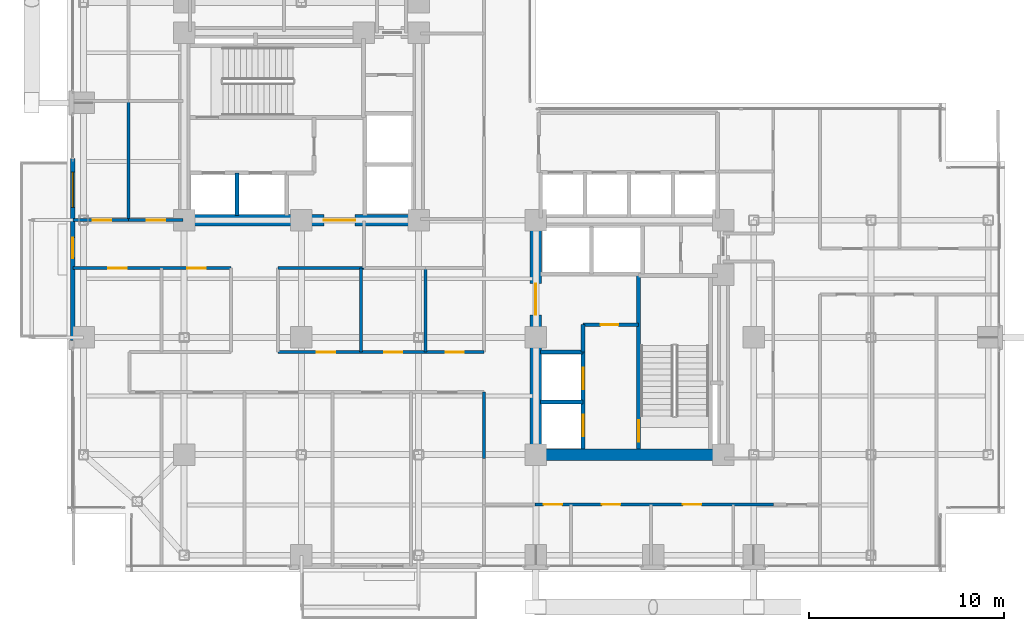
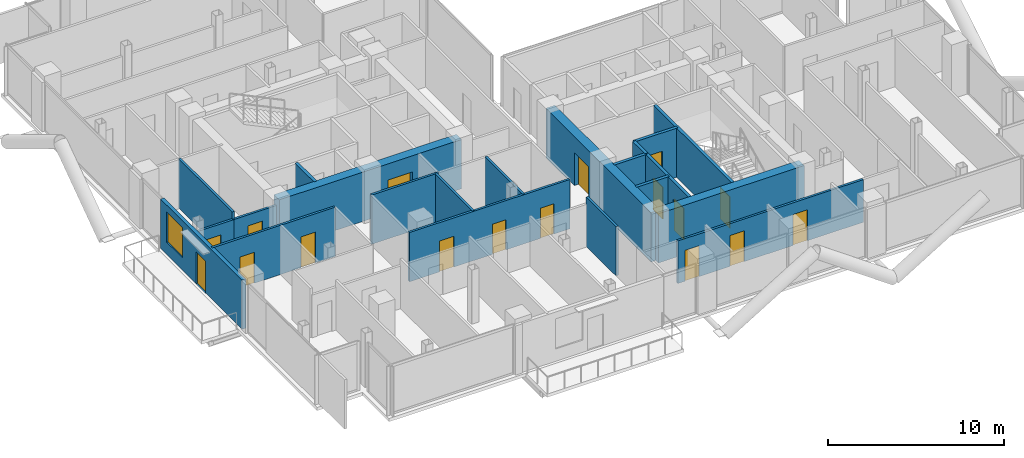
# One storey, part 19 of 24: 21 walls, 17 doors, 1 window, 18 openings.
"""IFC4 building model written with IfcOpenShell, lengths in metres."""

from ifc_helpers import new_model, si_unit, direction, frame, frame_2d, origin, place, context, subcontext, project, spatial, rectangle, extrude, material, layer, layer_set, type_object, element, fill, save


model = new_model("IFC4")

# Units and contexts
model_context = context("Model", 3, precision=1e-05, world=origin(), true_north=direction((0.0, 1.0)))
body_context = subcontext(model_context, "Body", "Model", "MODEL_VIEW")
ifc_project = project(units=[si_unit("LENGTHUNIT", "METRE"), si_unit("AREAUNIT", "SQUARE_METRE"), si_unit("VOLUMEUNIT", "CUBIC_METRE"), si_unit("PLANEANGLEUNIT", "RADIAN"), si_unit("MASSUNIT", "GRAM", prefix="KILO"), si_unit("THERMODYNAMICTEMPERATUREUNIT", "KELVIN"), si_unit("POWERUNIT", "WATT")], contexts=[model_context])

# Site, building, storey
site_placement = place(None, origin())
site = spatial("IfcSite", under=ifc_project, at=site_placement, CompositionType="ELEMENT")
building_placement = place(site_placement, origin())
building = spatial("IfcBuilding", under=site, at=building_placement, Name="Svarakhadi Broadcast Tower", CompositionType="ELEMENT")
storey_placement = place(building_placement, frame((0.0, 0.0, 160.64990234375)))
storey = spatial("IfcBuildingStorey", under=building, at=storey_placement, Name="L39", CompositionType="ELEMENT", Elevation=160.64990234375)

# Wall, openings, door, window
ifc_material_1 = material(Name="Concrete C40/50 (IS 456 M50)", Category="concrete")
ifc_layer_1 = layer(ifc_material_1, 0.239990234375)
ifc_layer_set_1 = layer_set([ifc_layer_1], Name="Concrete C40/50 (IS 456 M50)")
wall_type_1 = type_object("IfcWallType", Name="Wall_Ext_240", PredefinedType="SOLIDWALL", material=ifc_layer_set_1)
wall_1_placement = place(storey_placement, frame((0.300048828125, 11.85498046875, 0.0), z_axis=(0.0, 0.0, 1.0), x_axis=(0.0, 1.0, 0.0)))
wall_1 = element("IfcWall", 1, at=wall_1_placement, inside=storey, type_object=wall_type_1, Name="L39 West Tree Balcony Spandrel Wall", PredefinedType="SOLIDWALL", context=body_context, shape_type="SweptSolid", body=[
    extrude(rectangle(XDim=9.2900390625, YDim=0.239990234375, at=frame_2d((4.64501953125, 0.0))), origin(), (0.0, 0.0, 1.0), 3.425048828125),
])
opening_1_placement = place(wall_1_placement, frame((4.199951171875, 0.0, 0.0)))
opening_1 = element("IfcOpeningElement", 2, at=opening_1_placement, cuts=wall_1, Name="Opening ED-06", PredefinedType="OPENING", context=body_context, shape_type="SweptSolid", body=[
    extrude(rectangle(XDim=1.050048828125, YDim=2.199951171875, at=frame_2d((0.52490234375, 1.10009765625))), frame((0.0, 0.1298828125, 0.0), z_axis=(0.0, -1.0, 0.0), x_axis=(1.0, 0.0, 0.0)), (0.0, 0.0, 1.0), 0.260009765625),
])
opening_2_placement = place(wall_1_placement, frame((6.800048828125, 0.0, 0.85009765625)))
opening_2 = element("IfcOpeningElement", 3, at=opening_2_placement, cuts=wall_1, Name="Opening WN-02", PredefinedType="OPENING", context=body_context, shape_type="SweptSolid", body=[
    extrude(rectangle(XDim=1.800048828125, YDim=2.10009765625, at=frame_2d((0.89990234375, 1.050048828125))), frame((0.0, 0.1298828125, 0.0), z_axis=(0.0, -1.0, 0.0), x_axis=(1.0, 0.0, 0.0)), (0.0, 0.0, 1.0), 0.260009765625),
])
ifc_material_2 = material(Name="Anodised Bronze Aluminium AA 6063-T6", Category="aluminium")
door_type_1 = type_object("IfcDoorType", Name="Door_Ext_ED06", OperationType="SINGLE_SWING_RIGHT", PredefinedType="DOOR", material=ifc_material_2)
door_1_placement = place(opening_1_placement, origin())
door_1 = element("IfcDoor", 4, at=door_1_placement, inside=storey, type_object=door_type_1, Name="L39 West Tree Balcony Door", OperationType="SINGLE_SWING_RIGHT", OverallHeight=2.199951171875, OverallWidth=1.050048828125, PredefinedType="DOOR", context=body_context, shape_type="SweptSolid", body=[
    extrude(rectangle(XDim=1.050048828125, YDim=2.199951171875, at=frame_2d((0.52490234375, 1.10009765625))), frame((0.0, 0.02490234375, 0.0), z_axis=(0.0, -1.0, 0.0), x_axis=(1.0, 0.0, 0.0)), (0.0, 0.0, 1.0), 0.050048828125),
])
fill(opening_1, door_1)
ifc_material_3 = material(Name="Double Low-E Laminated Acoustic Glass IGU 36 mm", Category="glass")
window_type = type_object("IfcWindowType", Name="Win_Fixed_WN02", PartitioningType="SINGLE_PANEL", PredefinedType="WINDOW", material=ifc_material_3)
window_placement = place(opening_2_placement, origin())
window = element("IfcWindow", 5, at=window_placement, inside=storey, type_object=window_type, Name="L39 West Tree Balcony Window", OverallHeight=2.10009765625, OverallWidth=1.800048828125, PartitioningType="SINGLE_PANEL", PredefinedType="WINDOW", context=body_context, shape_type="SweptSolid", body=[
    extrude(rectangle(XDim=1.800048828125, YDim=2.10009765625, at=frame_2d((0.89990234375, 1.050048828125))), frame((0.0, 0.030029296875, 0.0), z_axis=(0.0, -1.0, 0.0), x_axis=(1.0, 0.0, 0.0)), (0.0, 0.0, 1.0), 0.06005859375),
])
fill(opening_2, window)

# Wall, openings, doors
ifc_material_4 = material(Name="Autoclaved Aerated Concrete Blockwork 150 mm", Category="masonry")
ifc_layer_2 = layer(ifc_material_4, 0.14990234375)
ifc_layer_set_2 = layer_set([ifc_layer_2], Name="Autoclaved Aerated Concrete Blockwork 150 mm")
wall_type_2 = type_object("IfcWallType", Name="Wall_Part_150", PredefinedType="PARTITIONING", material=ifc_layer_set_2)
wall_2_placement = place(storey_placement, frame((36.14990234375, 3.449951171875, 0.0), z_axis=(0.0, 0.0, 1.0), x_axis=(-1.0, 0.0, 0.0)))
wall_2 = element("IfcWall", 6, at=wall_2_placement, inside=storey, type_object=wall_type_2, Name="L39 Zone 2/3 Corridor Wall", PredefinedType="PARTITIONING", context=body_context, shape_type="SweptSolid", body=[
    extrude(rectangle(XDim=12.199951171875, YDim=0.14990234375, at=frame_2d((6.10009765625, 0.0))), origin(), (0.0, 0.0, 1.0), 2.967041015625),
])
opening_3_placement = place(wall_2_placement, frame((10.800048828125, 0.0, 0.0)))
opening_3 = element("IfcOpeningElement", 7, at=opening_3_placement, cuts=wall_2, Name="Opening D-06", PredefinedType="OPENING", context=body_context, shape_type="SweptSolid", body=[
    extrude(rectangle(XDim=0.949951171875, YDim=2.14990234375, at=frame_2d((0.47509765625, 1.074951171875))), frame((0.0, 0.0849609375, 0.0), z_axis=(0.0, -1.0, 0.0), x_axis=(1.0, 0.0, 0.0)), (0.0, 0.0, 1.0), 0.169921875),
])
opening_4_placement = place(wall_2_placement, frame((7.824951171875, 0.0, 0.0)))
opening_4 = element("IfcOpeningElement", 8, at=opening_4_placement, cuts=wall_2, Name="Opening D-07", PredefinedType="OPENING", context=body_context, shape_type="SweptSolid", body=[
    extrude(rectangle(XDim=0.949951171875, YDim=2.14990234375, at=frame_2d((0.47509765625, 1.074951171875))), frame((0.0, 0.0849609375, 0.0), z_axis=(0.0, -1.0, 0.0), x_axis=(1.0, 0.0, 0.0)), (0.0, 0.0, 1.0), 0.169921875),
])
opening_5_placement = place(wall_2_placement, frame((3.675048828125, 0.0, 0.0)))
opening_5 = element("IfcOpeningElement", 9, at=opening_5_placement, cuts=wall_2, Name="Opening D-06", PredefinedType="OPENING", context=body_context, shape_type="SweptSolid", body=[
    extrude(rectangle(XDim=0.949951171875, YDim=2.14990234375, at=frame_2d((0.47509765625, 1.074951171875))), frame((0.0, 0.0849609375, 0.0), z_axis=(0.0, -1.0, 0.0), x_axis=(1.0, 0.0, 0.0)), (0.0, 0.0, 1.0), 0.169921875),
])
ifc_material_5 = material(Name="Solid-Core Teak Veneer Acoustic Timber Leaf", Category="wood")
door_type_2 = type_object("IfcDoorType", Name="Door_Office_D06", OperationType="SINGLE_SWING_LEFT", PredefinedType="DOOR", material=ifc_material_5)
door_2_placement = place(opening_3_placement, origin())
door_2 = element("IfcDoor", 10, at=door_2_placement, inside=storey, type_object=door_type_2, Name="L39 Harbour Front Production Office Door", OperationType="SINGLE_SWING_LEFT", OverallHeight=2.14990234375, OverallWidth=0.949951171875, PredefinedType="DOOR", context=body_context, shape_type="SweptSolid", body=[
    extrude(rectangle(XDim=0.949951171875, YDim=2.14990234375, at=frame_2d((0.47509765625, 1.074951171875))), frame((0.0, 0.02490234375, 0.0), z_axis=(0.0, -1.0, 0.0), x_axis=(1.0, 0.0, 0.0)), (0.0, 0.0, 1.0), 0.050048828125),
])
fill(opening_3, door_2)
door_3_placement = place(opening_5_placement, origin())
door_3 = element("IfcDoor", 11, at=door_3_placement, inside=storey, type_object=door_type_2, Name="L39 Artisanal Espresso Bar Door", OperationType="SINGLE_SWING_LEFT", OverallHeight=2.14990234375, OverallWidth=0.949951171875, PredefinedType="DOOR", context=body_context, shape_type="SweptSolid", body=[
    extrude(rectangle(XDim=0.949951171875, YDim=2.14990234375, at=frame_2d((0.47509765625, 1.074951171875))), frame((0.0, 0.02490234375, 0.0), z_axis=(0.0, -1.0, 0.0), x_axis=(1.0, 0.0, 0.0)), (0.0, 0.0, 1.0), 0.050048828125),
])
fill(opening_5, door_3)
door_type_3 = type_object("IfcDoorType", Name="Door_Office_D07", OperationType="SINGLE_SWING_RIGHT", PredefinedType="DOOR", material=ifc_material_5)
door_4_placement = place(opening_4_placement, origin())
door_4 = element("IfcDoor", 12, at=door_4_placement, inside=storey, type_object=door_type_3, Name="L39 Client Preview Briefing Room Door", OperationType="SINGLE_SWING_RIGHT", OverallHeight=2.14990234375, OverallWidth=0.949951171875, PredefinedType="DOOR", context=body_context, shape_type="SweptSolid", body=[
    extrude(rectangle(XDim=0.949951171875, YDim=2.14990234375, at=frame_2d((0.47509765625, 1.074951171875))), frame((0.0, 0.02490234375, 0.0), z_axis=(0.0, -1.0, 0.0), x_axis=(1.0, 0.0, 0.0)), (0.0, 0.0, 1.0), 0.050048828125),
])
fill(opening_4, door_4)

# Wall
wall_3_placement = place(storey_placement, frame((21.35009765625, 5.800048828125, 0.0), z_axis=(0.0, 0.0, 1.0), x_axis=(0.0, 1.0, 0.0)))
element("IfcWall", 13, at=wall_3_placement, inside=storey, type_object=wall_type_2, Name="L39 Zone 2/3 Corridor Wall", PredefinedType="PARTITIONING", context=body_context, shape_type="SweptSolid", body=[
    extrude(rectangle(XDim=3.39990234375, YDim=0.14990234375, at=frame_2d((1.699951171875, 0.0))), origin(), (0.0, 0.0, 1.0), 3.425048828125),
])

# Wall, openings, doors
wall_4_placement = place(storey_placement, frame((8.39990234375, 15.550048828125, 0.0), z_axis=(0.0, 0.0, 1.0), x_axis=(-1.0, 0.0, 0.0)))
wall_4 = element("IfcWall", 14, at=wall_4_placement, inside=storey, type_object=wall_type_2, Name="L39 Zone 2/3 Corridor Wall", PredefinedType="PARTITIONING", context=body_context, shape_type="SweptSolid", body=[
    extrude(rectangle(XDim=8.099853515625, YDim=0.14990234375, at=frame_2d((4.0498046875, 0.0))), origin(), (0.0, 0.0, 1.0), 3.425048828125),
])
opening_6_placement = place(wall_4_placement, frame((5.324951171875, 0.0, 0.0)))
opening_6 = element("IfcOpeningElement", 15, at=opening_6_placement, cuts=wall_4, Name="Opening D-06", PredefinedType="OPENING", context=body_context, shape_type="SweptSolid", body=[
    extrude(rectangle(XDim=0.949951171875, YDim=2.14990234375, at=frame_2d((0.47509765625, 1.074951171875))), frame((0.0, 0.0849609375, 0.0), z_axis=(0.0, -1.0, 0.0), x_axis=(1.0, 0.0, 0.0)), (0.0, 0.0, 1.0), 0.169921875),
])
opening_7_placement = place(wall_4_placement, frame((1.300048828125, 0.0, 0.0)))
opening_7 = element("IfcOpeningElement", 16, at=opening_7_placement, cuts=wall_4, Name="Opening D-07", PredefinedType="OPENING", context=body_context, shape_type="SweptSolid", body=[
    extrude(rectangle(XDim=0.949951171875, YDim=2.14990234375, at=frame_2d((0.47509765625, 1.074951171875))), frame((0.0, 0.0849609375, 0.0), z_axis=(0.0, -1.0, 0.0), x_axis=(1.0, 0.0, 0.0)), (0.0, 0.0, 1.0), 0.169921875),
])
door_5_placement = place(opening_6_placement, origin())
door_5 = element("IfcDoor", 17, at=door_5_placement, inside=storey, type_object=door_type_2, Name="L39 Research Library Lounge Door", OperationType="SINGLE_SWING_LEFT", OverallHeight=2.14990234375, OverallWidth=0.949951171875, PredefinedType="DOOR", context=body_context, shape_type="SweptSolid", body=[
    extrude(rectangle(XDim=0.949951171875, YDim=2.14990234375, at=frame_2d((0.47509765625, 1.074951171875))), frame((0.0, 0.02490234375, 0.0), z_axis=(0.0, -1.0, 0.0), x_axis=(1.0, 0.0, 0.0)), (0.0, 0.0, 1.0), 0.050048828125),
])
fill(opening_6, door_5)
door_6_placement = place(opening_7_placement, origin())
door_6 = element("IfcDoor", 18, at=door_6_placement, inside=storey, type_object=door_type_3, Name="L39 Broadcast Standards Study Door", OperationType="SINGLE_SWING_RIGHT", OverallHeight=2.14990234375, OverallWidth=0.949951171875, PredefinedType="DOOR", context=body_context, shape_type="SweptSolid", body=[
    extrude(rectangle(XDim=0.949951171875, YDim=2.14990234375, at=frame_2d((0.47509765625, 1.074951171875))), frame((0.0, 0.02490234375, 0.0), z_axis=(0.0, -1.0, 0.0), x_axis=(1.0, 0.0, 0.0)), (0.0, 0.0, 1.0), 0.050048828125),
])
fill(opening_7, door_6)

# Wall
wall_5_placement = place(storey_placement, frame((15.199951171875, 15.550048828125, 0.0), z_axis=(0.0, 0.0, 1.0), x_axis=(-1.0, 0.0, 0.0)))
element("IfcWall", 19, at=wall_5_placement, inside=storey, type_object=wall_type_2, Name="L39 Zone 2/3 Corridor Wall", PredefinedType="PARTITIONING", context=body_context, shape_type="SweptSolid", body=[
    extrude(rectangle(XDim=4.39990234375, YDim=0.14990234375, at=frame_2d((2.199951171875, 0.0))), origin(), (0.0, 0.0, 1.0), 3.425048828125),
])

# Wall, openings, doors
wall_6_placement = place(storey_placement, frame((10.800048828125, 11.25, 0.0), z_axis=(0.0, 0.0, 1.0), x_axis=(1.0, 0.0, 0.0)))
wall_6 = element("IfcWall", 20, at=wall_6_placement, inside=storey, type_object=wall_type_2, Name="L39 Zone 2/3 Corridor Wall", PredefinedType="PARTITIONING", context=body_context, shape_type="SweptSolid", body=[
    extrude(rectangle(XDim=10.550048828125, YDim=0.14990234375, at=frame_2d((5.27490234375, 0.0))), origin(), (0.0, 0.0, 1.0), 3.425048828125),
])
opening_8_placement = place(wall_6_placement, frame((1.97998046875, 0.0, 0.0)))
opening_8 = element("IfcOpeningElement", 21, at=opening_8_placement, cuts=wall_6, Name="Opening D-07", PredefinedType="OPENING", context=body_context, shape_type="SweptSolid", body=[
    extrude(rectangle(XDim=0.949951171875, YDim=2.14990234375, at=frame_2d((0.47509765625, 1.074951171875))), frame((0.0, 0.0849609375, 0.0), z_axis=(0.0, -1.0, 0.0), x_axis=(1.0, 0.0, 0.0)), (0.0, 0.0, 1.0), 0.169921875),
])
opening_9_placement = place(wall_6_placement, frame((5.449951171875, 0.0, 0.0)))
opening_9 = element("IfcOpeningElement", 22, at=opening_9_placement, cuts=wall_6, Name="Opening D-12", PredefinedType="OPENING", context=body_context, shape_type="SweptSolid", body=[
    extrude(rectangle(XDim=0.89990234375, YDim=2.10009765625, at=frame_2d((0.449951171875, 1.050048828125))), frame((0.0, 0.0849609375, 0.0), z_axis=(0.0, -1.0, 0.0), x_axis=(1.0, 0.0, 0.0)), (0.0, 0.0, 1.0), 0.169921875),
])
opening_10_placement = place(wall_6_placement, frame((8.60009765625, 0.0, 0.0)))
opening_10 = element("IfcOpeningElement", 23, at=opening_10_placement, cuts=wall_6, Name="Opening D-12", PredefinedType="OPENING", context=body_context, shape_type="SweptSolid", body=[
    extrude(rectangle(XDim=0.89990234375, YDim=2.10009765625, at=frame_2d((0.449951171875, 1.050048828125))), frame((0.0, 0.0849609375, 0.0), z_axis=(0.0, -1.0, 0.0), x_axis=(1.0, 0.0, 0.0)), (0.0, 0.0, 1.0), 0.169921875),
])
door_7_placement = place(opening_8_placement, origin())
door_7 = element("IfcDoor", 24, at=door_7_placement, inside=storey, type_object=door_type_3, Name="L39 Executive Huddle Room Door", OperationType="SINGLE_SWING_RIGHT", OverallHeight=2.14990234375, OverallWidth=0.949951171875, PredefinedType="DOOR", context=body_context, shape_type="SweptSolid", body=[
    extrude(rectangle(XDim=0.949951171875, YDim=2.14990234375, at=frame_2d((0.47509765625, 1.074951171875))), frame((0.0, 0.02490234375, 0.0), z_axis=(0.0, -1.0, 0.0), x_axis=(1.0, 0.0, 0.0)), (0.0, 0.0, 1.0), 0.050048828125),
])
fill(opening_8, door_7)
door_type_4 = type_object("IfcDoorType", Name="Door_WC_D01", OperationType="SINGLE_SWING_LEFT", PredefinedType="DOOR", material=ifc_material_5)
door_8_placement = place(opening_9_placement, origin())
door_8 = element("IfcDoor", 25, at=door_8_placement, inside=storey, type_object=door_type_4, Name="L39 Editorial Review Booth Door", OperationType="SINGLE_SWING_LEFT", OverallHeight=2.10009765625, OverallWidth=0.89990234375, PredefinedType="DOOR", context=body_context, shape_type="SweptSolid", body=[
    extrude(rectangle(XDim=0.89990234375, YDim=2.10009765625, at=frame_2d((0.449951171875, 1.050048828125))), frame((0.0, 0.02490234375, 0.0), z_axis=(0.0, -1.0, 0.0), x_axis=(1.0, 0.0, 0.0)), (0.0, 0.0, 1.0), 0.050048828125),
])
fill(opening_9, door_8)
door_9_placement = place(opening_10_placement, origin())
door_9 = element("IfcDoor", 26, at=door_9_placement, inside=storey, type_object=door_type_4, Name="L39 Accessible Floor Washroom WC Door", OperationType="SINGLE_SWING_LEFT", OverallHeight=2.10009765625, OverallWidth=0.89990234375, PredefinedType="DOOR", context=body_context, shape_type="SweptSolid", body=[
    extrude(rectangle(XDim=0.89990234375, YDim=2.10009765625, at=frame_2d((0.449951171875, 1.050048828125))), frame((0.0, 0.02490234375, 0.0), z_axis=(0.0, -1.0, 0.0), x_axis=(1.0, 0.0, 0.0)), (0.0, 0.0, 1.0), 0.050048828125),
])
fill(opening_10, door_9)

# Walls
for number, where, z_axis, x_axis, name in (
    (27, (15.050048828125, 11.25, 0.0), (0.0, 0.0, 1.0), (0.0, 1.0, 0.0), "L39 Executive Huddle Room Wall"),
    (28, (18.35009765625, 11.25, 0.0), (0.0, 0.0, 1.0), (0.0, 1.0, 0.0), "L39 Editorial Review Booth Wall"),
):
    element("IfcWall", number, at=place(storey_placement, frame(where, z_axis=z_axis, x_axis=x_axis)), inside=storey, type_object=wall_type_2, Name=name, PredefinedType="PARTITIONING", context=body_context, shape_type="SweptSolid", body=[
        extrude(rectangle(XDim=4.300048828125, YDim=0.14990234375, at=frame_2d((2.14990234375, 0.0))), origin(), (0.0, 0.0, 1.0), 3.425048828125),
    ])

# Wall, opening, door
wall_7_placement = place(storey_placement, frame((0.300048828125, 18.0, 0.0), z_axis=(0.0, 0.0, 1.0), x_axis=(1.0, 0.0, 0.0)))
wall_7 = element("IfcWall", 29, at=wall_7_placement, inside=storey, type_object=wall_type_2, Name="L39 Arabian Sea Executive Studio Wall", PredefinedType="PARTITIONING", context=body_context, shape_type="SweptSolid", body=[
    extrude(rectangle(XDim=2.849853515625, YDim=0.14990234375, at=frame_2d((1.4248046875, 0.0))), origin(), (0.0, 0.0, 1.0), 2.9169921875),
])
opening_11_placement = place(wall_7_placement, frame((1.030029296875, 0.0, 0.0)))
opening_11 = element("IfcOpeningElement", 30, at=opening_11_placement, cuts=wall_7, Name="Opening D-07", PredefinedType="OPENING", context=body_context, shape_type="SweptSolid", body=[
    extrude(rectangle(XDim=0.949951171875, YDim=2.14990234375, at=frame_2d((0.47509765625, 1.074951171875))), frame((0.0, 0.0849609375, 0.0), z_axis=(0.0, -1.0, 0.0), x_axis=(1.0, 0.0, 0.0)), (0.0, 0.0, 1.0), 0.169921875),
])
door_10_placement = place(opening_11_placement, origin())
door_10 = element("IfcDoor", 31, at=door_10_placement, inside=storey, type_object=door_type_3, Name="L39 Arabian Sea Executive Studio Door", OperationType="SINGLE_SWING_RIGHT", OverallHeight=2.14990234375, OverallWidth=0.949951171875, PredefinedType="DOOR", context=body_context, shape_type="SweptSolid", body=[
    extrude(rectangle(XDim=0.949951171875, YDim=2.14990234375, at=frame_2d((0.47509765625, 1.074951171875))), frame((0.0, 0.02490234375, 0.0), z_axis=(0.0, -1.0, 0.0), x_axis=(1.0, 0.0, 0.0)), (0.0, 0.0, 1.0), 0.050048828125),
])
fill(opening_11, door_10)

# Wall
wall_8_placement = place(storey_placement, frame((3.14990234375, 18.0, 0.0), z_axis=(0.0, 0.0, 1.0), x_axis=(0.0, 1.0, 0.0)))
element("IfcWall", 32, at=wall_8_placement, inside=storey, type_object=wall_type_2, Name="L39 Arabian Sea Executive Studio Wall", PredefinedType="PARTITIONING", context=body_context, shape_type="SweptSolid", body=[
    extrude(rectangle(XDim=6.10009765625, YDim=0.14990234375, at=frame_2d((3.050048828125, 0.0))), origin(), (0.0, 0.0, 1.0), 3.425048828125),
])

# Wall, opening, door
wall_9_placement = place(storey_placement, frame((3.14990234375, 18.0, 0.0), z_axis=(0.0, 0.0, 1.0), x_axis=(1.0, 0.0, 0.0)))
wall_9 = element("IfcWall", 33, at=wall_9_placement, inside=storey, type_object=wall_type_2, Name="L39 Arabian Sea Executive Studio Wall", PredefinedType="PARTITIONING", context=body_context, shape_type="SweptSolid", body=[
    extrude(rectangle(XDim=2.800048828125, YDim=0.14990234375, at=frame_2d((1.39990234375, 0.0))), origin(), (0.0, 0.0, 1.0), 2.9169921875),
])
opening_12_placement = place(wall_9_placement, frame((0.925048828125, 0.0, 0.0)))
opening_12 = element("IfcOpeningElement", 34, at=opening_12_placement, cuts=wall_9, Name="Opening D-06", PredefinedType="OPENING", context=body_context, shape_type="SweptSolid", body=[
    extrude(rectangle(XDim=0.949951171875, YDim=2.14990234375, at=frame_2d((0.47509765625, 1.074951171875))), frame((0.0, 0.0849609375, 0.0), z_axis=(0.0, -1.0, 0.0), x_axis=(1.0, 0.0, 0.0)), (0.0, 0.0, 1.0), 0.169921875),
])
door_11_placement = place(opening_12_placement, origin())
door_11 = element("IfcDoor", 35, at=door_11_placement, inside=storey, type_object=door_type_2, Name="L39 Arabian Sea Executive Studio Door", OperationType="SINGLE_SWING_LEFT", OverallHeight=2.14990234375, OverallWidth=0.949951171875, PredefinedType="DOOR", context=body_context, shape_type="SweptSolid", body=[
    extrude(rectangle(XDim=0.949951171875, YDim=2.14990234375, at=frame_2d((0.47509765625, 1.074951171875))), frame((0.0, 0.02490234375, 0.0), z_axis=(0.0, -1.0, 0.0), x_axis=(1.0, 0.0, 0.0)), (0.0, 0.0, 1.0), 0.050048828125),
])
fill(opening_12, door_11)

ifc_material_6 = material(Name="Concrete C50/60 (IS 456 M60)", Category="concrete")
ifc_layer_3 = layer(ifc_material_6, 0.199951171875)
ifc_layer_set_3 = layer_set([ifc_layer_3], Name="Concrete C50/60 (IS 456 M60)")
wall_type_3 = type_object("IfcWallType", Name="Wall_Shear_200", PredefinedType="SHEAR", material=ifc_layer_set_3)
wall_10_placement = place(storey_placement, frame((29.260009765625, 6.300048828125, 0.0), z_axis=(0.0, 0.0, 1.0), x_axis=(0.0, 1.0, 0.0)))
wall_10 = element("IfcWall", 36, at=wall_10_placement, inside=storey, type_object=wall_type_3, Name="L39 Stair ST-02 West RC Shaft Wall", PredefinedType="SHEAR", context=body_context, shape_type="SweptSolid", body=[
    extrude(rectangle(XDim=8.8798828125, YDim=0.199951171875, at=frame_2d((4.43994140625, 0.0))), origin(), (0.0, 0.0, 1.0), 3.425048828125),
])
opening_13_placement = place(wall_10_placement, frame((0.35009765625, 0.0, 0.0)))
opening_13 = element("IfcOpeningElement", 37, at=opening_13_placement, cuts=wall_10, Name="Opening D-02", PredefinedType="OPENING", context=body_context, shape_type="SweptSolid", body=[
    extrude(rectangle(XDim=1.10009765625, YDim=2.199951171875, at=frame_2d((0.550048828125, 1.10009765625))), frame((0.0, 0.10986328125, 0.0), z_axis=(0.0, -1.0, 0.0), x_axis=(1.0, 0.0, 0.0)), (0.0, 0.0, 1.0), 0.219970703125),
])
ifc_material_7 = material(Name="Galvanised Powder-Coated Fire-Rated Steel Leaf", Category="steel")
door_type_5 = type_object("IfcDoorType", Name="Door_Stair_D02", OperationType="SINGLE_SWING_RIGHT", PredefinedType="DOOR", material=ifc_material_7)
door_12_placement = place(opening_13_placement, origin())
door_12 = element("IfcDoor", 38, at=door_12_placement, inside=storey, type_object=door_type_5, Name="L39 Protected Exit Stair ST-02 Fire Door", OperationType="SINGLE_SWING_RIGHT", OverallHeight=2.199951171875, OverallWidth=1.10009765625, PredefinedType="DOOR", context=body_context, shape_type="SweptSolid", body=[
    extrude(rectangle(XDim=1.10009765625, YDim=2.199951171875, at=frame_2d((0.550048828125, 1.10009765625))), frame((0.0, 0.02490234375, 0.0), z_axis=(0.0, -1.0, 0.0), x_axis=(1.0, 0.0, 0.0)), (0.0, 0.0, 1.0), 0.050048828125),
])
fill(opening_13, door_12)

# Wall
wall_11_placement = place(storey_placement, frame((8.699951171875, 18.25, 0.0), z_axis=(0.0, 0.0, 1.0), x_axis=(0.0, 1.0, 0.0)))
element("IfcWall", 39, at=wall_11_placement, inside=storey, type_object=wall_type_3, Name="L39 Firefighting Lift LF-01/02 Divider Wall", PredefinedType="SHEAR", context=body_context, shape_type="SweptSolid", body=[
    extrude(rectangle(XDim=2.169921875, YDim=0.199951171875, at=frame_2d((1.0849609375, 0.0))), origin(), (0.0, 0.0, 1.0), 3.425048828125),
])

# Wall, openings, doors
wall_12_placement = place(storey_placement, frame((26.419921875, 6.300048828125, 0.0), z_axis=(0.0, 0.0, 1.0), x_axis=(0.0, 1.0, 0.0)))
wall_12 = element("IfcWall", 40, at=wall_12_placement, inside=storey, type_object=wall_type_3, Name="L39 Firefighting Lift LF-03/04 Shaft Wall", PredefinedType="SHEAR", context=body_context, shape_type="SweptSolid", body=[
    extrude(rectangle(XDim=4.949951171875, YDim=0.199951171875, at=frame_2d((2.47509765625, 0.0))), origin(), (0.0, 0.0, 1.0), 3.425048828125),
])
opening_14_placement = place(wall_12_placement, frame((0.64990234375, 0.0, 0.0)))
opening_14 = element("IfcOpeningElement", 41, at=opening_14_placement, cuts=wall_12, Name="Opening LD-01", PredefinedType="OPENING", context=body_context, shape_type="SweptSolid", body=[
    extrude(rectangle(XDim=1.10009765625, YDim=2.199951171875, at=frame_2d((0.550048828125, 1.10009765625))), frame((0.0, 0.10986328125, 0.0), z_axis=(0.0, -1.0, 0.0), x_axis=(1.0, 0.0, 0.0)), (0.0, 0.0, 1.0), 0.219970703125),
])
opening_15_placement = place(wall_12_placement, frame((3.050048828125, 0.0, 0.0)))
opening_15 = element("IfcOpeningElement", 42, at=opening_15_placement, cuts=wall_12, Name="Opening LD-01", PredefinedType="OPENING", context=body_context, shape_type="SweptSolid", body=[
    extrude(rectangle(XDim=1.10009765625, YDim=2.199951171875, at=frame_2d((0.550048828125, 1.10009765625))), frame((0.0, 0.10986328125, 0.0), z_axis=(0.0, -1.0, 0.0), x_axis=(1.0, 0.0, 0.0)), (0.0, 0.0, 1.0), 0.219970703125),
])
door_type_6 = type_object("IfcDoorType", Name="Door_Lift_LD01", OperationType="SLIDING_TO_LEFT", PredefinedType="DOOR", material=ifc_material_7)
door_13_placement = place(opening_14_placement, origin())
door_13 = element("IfcDoor", 43, at=door_13_placement, inside=storey, type_object=door_type_6, Name="L39 Firefighting Lift LF-03 Landing Door", OperationType="SLIDING_TO_LEFT", OverallHeight=2.199951171875, OverallWidth=1.10009765625, PredefinedType="DOOR", context=body_context, shape_type="SweptSolid", body=[
    extrude(rectangle(XDim=1.10009765625, YDim=2.199951171875, at=frame_2d((0.550048828125, 1.10009765625))), frame((0.0, 0.02490234375, 0.0), z_axis=(0.0, -1.0, 0.0), x_axis=(1.0, 0.0, 0.0)), (0.0, 0.0, 1.0), 0.050048828125),
])
fill(opening_14, door_13)
door_14_placement = place(opening_15_placement, origin())
door_14 = element("IfcDoor", 44, at=door_14_placement, inside=storey, type_object=door_type_6, Name="L39 Firefighting Lift LF-04 Landing Door", OperationType="SLIDING_TO_LEFT", OverallHeight=2.199951171875, OverallWidth=1.10009765625, PredefinedType="DOOR", context=body_context, shape_type="SweptSolid", body=[
    extrude(rectangle(XDim=1.10009765625, YDim=2.199951171875, at=frame_2d((0.550048828125, 1.10009765625))), frame((0.0, 0.02490234375, 0.0), z_axis=(0.0, -1.0, 0.0), x_axis=(1.0, 0.0, 0.0)), (0.0, 0.0, 1.0), 0.050048828125),
])
fill(opening_15, door_14)

# Walls
for number, where, z_axis, x_axis, name in (
    (45, (24.25, 8.699951171875, 0.0), (0.0, 0.0, 1.0), (1.0, 0.0, 0.0), "L39 Firefighting Lift LF-03/04 Divider Wall"),
    (46, (24.25, 11.25, 0.0), (0.0, 0.0, 1.0), (1.0, 0.0, 0.0), "L39 Firefighting Lift LF-04 North Wall"),
):
    element("IfcWall", number, at=place(storey_placement, frame(where, z_axis=z_axis, x_axis=x_axis)), inside=storey, type_object=wall_type_3, Name=name, PredefinedType="SHEAR", context=body_context, shape_type="SweptSolid", body=[
        extrude(rectangle(XDim=2.169921875, YDim=0.199951171875, at=frame_2d((1.0849609375, 0.0))), origin(), (0.0, 0.0, 1.0), 3.425048828125),
    ])
wall_13_placement = place(storey_placement, frame((26.419921875, 11.25, 0.0), z_axis=(0.0, 0.0, 1.0), x_axis=(0.0, 1.0, 0.0)))
element("IfcWall", 47, at=wall_13_placement, inside=storey, type_object=wall_type_3, Name="L39 East Firefighting Lobby West Wall", PredefinedType="SHEAR", context=body_context, shape_type="SweptSolid", body=[
    extrude(rectangle(XDim=1.39990234375, YDim=0.199951171875, at=frame_2d((0.699951171875, 0.0))), origin(), (0.0, 0.0, 1.0), 3.425048828125),
])

# Wall, opening, door
wall_14_placement = place(storey_placement, frame((26.419921875, 12.64990234375, 0.0), z_axis=(0.0, 0.0, 1.0), x_axis=(1.0, 0.0, 0.0)))
wall_14 = element("IfcWall", 48, at=wall_14_placement, inside=storey, type_object=wall_type_3, Name="L39 East Firefighting Lobby North Wall", PredefinedType="SHEAR", context=body_context, shape_type="SweptSolid", body=[
    extrude(rectangle(XDim=2.840087890625, YDim=0.199951171875, at=frame_2d((1.419921875, 0.0))), origin(), (0.0, 0.0, 1.0), 3.425048828125),
])
opening_16_placement = place(wall_14_placement, frame((0.89990234375, 0.0, 0.0)))
opening_16 = element("IfcOpeningElement", 49, at=opening_16_placement, cuts=wall_14, Name="Opening D-03", PredefinedType="OPENING", context=body_context, shape_type="SweptSolid", body=[
    extrude(rectangle(XDim=0.89990234375, YDim=2.14990234375, at=frame_2d((0.449951171875, 1.074951171875))), frame((0.0, 0.10986328125, 0.0), z_axis=(0.0, -1.0, 0.0), x_axis=(1.0, 0.0, 0.0)), (0.0, 0.0, 1.0), 0.219970703125),
])
door_type_7 = type_object("IfcDoorType", Name="Door_Fire_D03", OperationType="SINGLE_SWING_LEFT", PredefinedType="DOOR", material=ifc_material_7)
door_15_placement = place(opening_16_placement, origin())
door_15 = element("IfcDoor", 50, at=door_15_placement, inside=storey, type_object=door_type_7, Name="L39 East Firefighting Lobby Fire Door", OperationType="SINGLE_SWING_LEFT", OverallHeight=2.14990234375, OverallWidth=0.89990234375, PredefinedType="DOOR", context=body_context, shape_type="SweptSolid", body=[
    extrude(rectangle(XDim=0.89990234375, YDim=2.14990234375, at=frame_2d((0.449951171875, 1.074951171875))), frame((0.0, 0.02490234375, 0.0), z_axis=(0.0, -1.0, 0.0), x_axis=(1.0, 0.0, 0.0)), (0.0, 0.0, 1.0), 0.050048828125),
])
fill(opening_16, door_15)

ifc_material_8 = material(Name="Concrete C60/75 (IS 456 M70)", Category="concrete")
ifc_layer_4 = layer(ifc_material_8, 0.60009765625)
ifc_layer_set_4 = layer_set([ifc_layer_4], Name="Concrete C60/75 (IS 456 M70)")
wall_type_4 = type_object("IfcWallType", Name="Wall_Shear_600", PredefinedType="SHEAR", material=ifc_layer_set_4)
wall_15_placement = place(storey_placement, frame((6.0, 18.0, 0.0), z_axis=(0.0, 0.0, 1.0), x_axis=(1.0, 0.0, 0.0)))
wall_15 = element("IfcWall", 51, at=wall_15_placement, inside=storey, type_object=wall_type_4, Name="L39 West Core South Shear Wall", PredefinedType="SHEAR", context=body_context, shape_type="SweptSolid", body=[
    extrude(rectangle(XDim=12.0, YDim=0.60009765625, at=frame_2d((6.0, 0.0))), origin(), (0.0, 0.0, 1.0), 3.425048828125),
])
opening_17_placement = place(wall_15_placement, frame((7.14990234375, 0.0, 0.0)))
opening_17 = element("IfcOpeningElement", 52, at=opening_17_placement, cuts=wall_15, Name="Opening D-05", PredefinedType="OPENING", context=body_context, shape_type="SweptSolid", body=[
    extrude(rectangle(XDim=1.60009765625, YDim=2.300048828125, at=frame_2d((0.800048828125, 1.14990234375))), frame((0.0, 0.31005859375, 0.0), z_axis=(0.0, -1.0, 0.0), x_axis=(1.0, 0.0, 0.0)), (0.0, 0.0, 1.0), 0.6201171875),
])
door_type_8 = type_object("IfcDoorType", Name="Door_Lobby_D05", OperationType="DOUBLE_DOOR_SLIDING", PredefinedType="DOOR", material=ifc_material_2)
door_16_placement = place(opening_17_placement, origin())
door_16 = element("IfcDoor", 53, at=door_16_placement, inside=storey, type_object=door_type_8, Name="L39 West Core Passenger Lift Lobby Entrance Door", OperationType="DOUBLE_DOOR_SLIDING", OverallHeight=2.300048828125, OverallWidth=1.60009765625, PredefinedType="DOOR", context=body_context, shape_type="SweptSolid", body=[
    extrude(rectangle(XDim=1.60009765625, YDim=2.300048828125, at=frame_2d((0.800048828125, 1.14990234375))), frame((0.0, 0.02490234375, 0.0), z_axis=(0.0, -1.0, 0.0), x_axis=(1.0, 0.0, 0.0)), (0.0, 0.0, 1.0), 0.050048828125),
])
fill(opening_17, door_16)

# Wall
wall_16_placement = place(storey_placement, frame((24.0, 6.0, 0.0), z_axis=(0.0, 0.0, 1.0), x_axis=(1.0, 0.0, 0.0)))
element("IfcWall", 54, at=wall_16_placement, inside=storey, type_object=wall_type_4, Name="L39 East Core South Shear Wall", PredefinedType="SHEAR", context=body_context, shape_type="SweptSolid", body=[
    extrude(rectangle(XDim=9.60009765625, YDim=0.60009765625, at=frame_2d((4.800048828125, 0.0))), origin(), (0.0, 0.0, 1.0), 3.425048828125),
])

# Wall, opening, door
wall_17_placement = place(storey_placement, frame((24.0, 6.0, 0.0), z_axis=(0.0, 0.0, 1.0), x_axis=(0.0, 1.0, 0.0)))
wall_17 = element("IfcWall", 55, at=wall_17_placement, inside=storey, type_object=wall_type_4, Name="L39 East Core West Shear Wall", PredefinedType="SHEAR", context=body_context, shape_type="SweptSolid", body=[
    extrude(rectangle(XDim=12.0, YDim=0.60009765625, at=frame_2d((6.0, 0.0))), origin(), (0.0, 0.0, 1.0), 3.425048828125),
])
opening_18_placement = place(wall_17_placement, frame((7.14990234375, 0.0, 0.0)))
opening_18 = element("IfcOpeningElement", 56, at=opening_18_placement, cuts=wall_17, Name="Opening D-05", PredefinedType="OPENING", context=body_context, shape_type="SweptSolid", body=[
    extrude(rectangle(XDim=1.60009765625, YDim=2.300048828125, at=frame_2d((0.800048828125, 1.14990234375))), frame((0.0, 0.31005859375, 0.0), z_axis=(0.0, -1.0, 0.0), x_axis=(1.0, 0.0, 0.0)), (0.0, 0.0, 1.0), 0.6201171875),
])
door_17_placement = place(opening_18_placement, origin())
door_17 = element("IfcDoor", 57, at=door_17_placement, inside=storey, type_object=door_type_8, Name="L39 East Core Passenger Lift Lobby Entrance Door", OperationType="DOUBLE_DOOR_SLIDING", OverallHeight=2.300048828125, OverallWidth=1.60009765625, PredefinedType="DOOR", context=body_context, shape_type="SweptSolid", body=[
    extrude(rectangle(XDim=1.60009765625, YDim=2.300048828125, at=frame_2d((0.800048828125, 1.14990234375))), frame((0.0, 0.02490234375, 0.0), z_axis=(0.0, -1.0, 0.0), x_axis=(1.0, 0.0, 0.0)), (0.0, 0.0, 1.0), 0.050048828125),
])
fill(opening_18, door_17)

save(model, "model.ifc")
